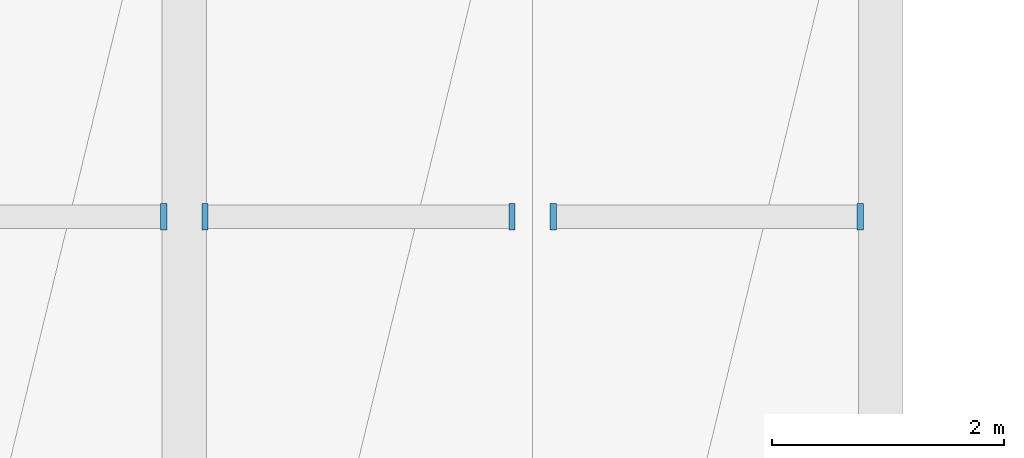
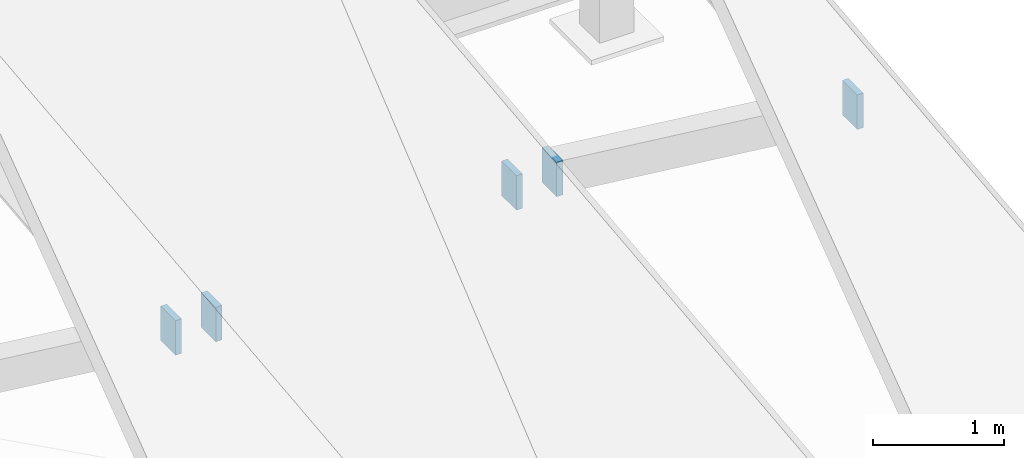
# One storey, part 51 of 52: 5 discrete accessories.
"""IFC4 building model written with IfcOpenShell, lengths in metres."""

from ifc_helpers import new_model, si_unit, direction, frame, origin, origin_2d, place, context, subcontext, project, spatial, rectangle, extrude, material, layer, layer_set, type_object, element, save


model = new_model("IFC4")

# Units and contexts
model_context = context("Model", 3, precision=1e-05, world=origin(), true_north=direction((0.0, 1.0)))
body_context = subcontext(model_context, "Body", "Model", "MODEL_VIEW")
ifc_project = project(units=[si_unit("LENGTHUNIT", "METRE"), si_unit("AREAUNIT", "SQUARE_METRE"), si_unit("VOLUMEUNIT", "CUBIC_METRE"), si_unit("PLANEANGLEUNIT", "RADIAN"), si_unit("MASSUNIT", "GRAM", prefix="KILO")], contexts=[model_context])

# Site, building, storey
site_placement = place(None, origin())
site = spatial("IfcSite", under=ifc_project, at=site_placement, CompositionType="ELEMENT")
building_placement = place(site_placement, origin())
building = spatial("IfcBuilding", under=site, at=building_placement, Name="Vaelkrest Opera House", CompositionType="ELEMENT")
storey_placement = place(building_placement, frame((0.0, 0.0, 41.39990234375)))
storey = spatial("IfcBuildingStorey", under=building, at=storey_placement, Name="ROOF", CompositionType="ELEMENT", Elevation=41.39990234375)

# Discrete accessories
ifc_material = material(Name="Steel A572 Gr50", Category="steel")
ifc_layer = layer(ifc_material, 0.320068359375)
ifc_layer_set = layer_set([ifc_layer], Name="Steel A572 Gr50")
discrete_accessory_type = type_object("IfcDiscreteAccessoryType", Name="ECP01", PredefinedType="USERDEFINED", material=ifc_layer_set)
for number, where, z_axis, x_axis, name in (
    (1, (23.822509765625, 37.94091796875, 1.69873046875), (0.0, 0.0, 1.0), (1.0, 0.0, 0.0), "Purlin HSS end cap plate V2-07-S2-67-E1"),
    (2, (24.177490234375, 37.94091796875, 1.69873046875), (0.0, 0.0, 1.0), (1.0, 0.0, 0.0), "Purlin HSS end cap plate V2-08-S2-67-W0"),
    (3, (26.822509765625, 37.94091796875, 1.99853515625), (0.0, 0.0, 1.0), (1.0, 0.0, 0.0), "Purlin HSS end cap plate V2-08-S2-67-W1"),
    (4, (27.177490234375, 37.94091796875, 1.99853515625), (0.0, 0.0, 1.0), (1.0, 0.0, 0.0), "Purlin HSS end cap plate V2-08-S2-67-E0"),
    (5, (29.822509765625, 37.94091796875, 1.69873046875), (0.0, 0.0, 1.0), (1.0, 0.0, 0.0), "Purlin HSS end cap plate V2-08-S2-67-E1"),
):
    element("IfcDiscreteAccessory", number, at=place(storey_placement, frame(where, z_axis=z_axis, x_axis=x_axis)), inside=storey, type_object=discrete_accessory_type, Name=name, ObjectType="CAP PLATE", PredefinedType="USERDEFINED", context=body_context, shape_type="SweptSolid", body=[
        extrude(rectangle(XDim=0.054931640625, YDim=0.22705078125, at=origin_2d()), origin(), (0.0, 0.0, 1.0), 0.321044921875),
    ])

save(model, "model.ifc")
